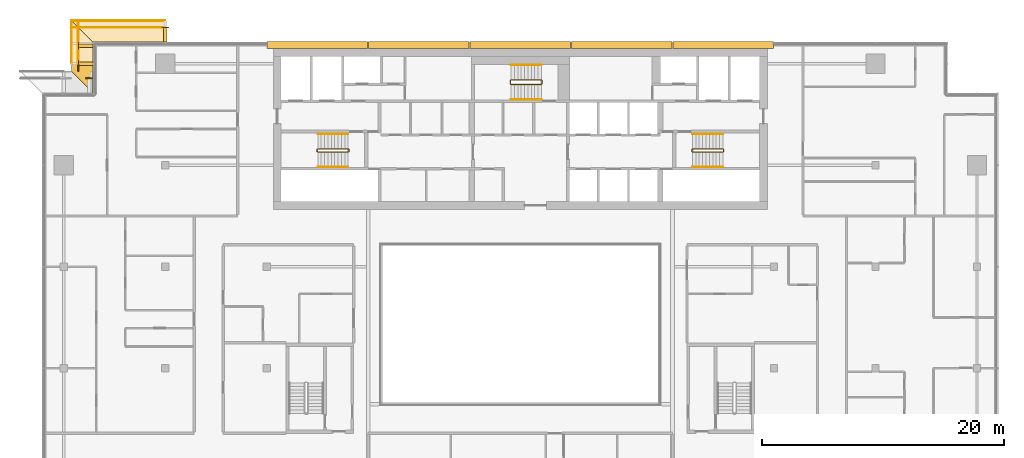
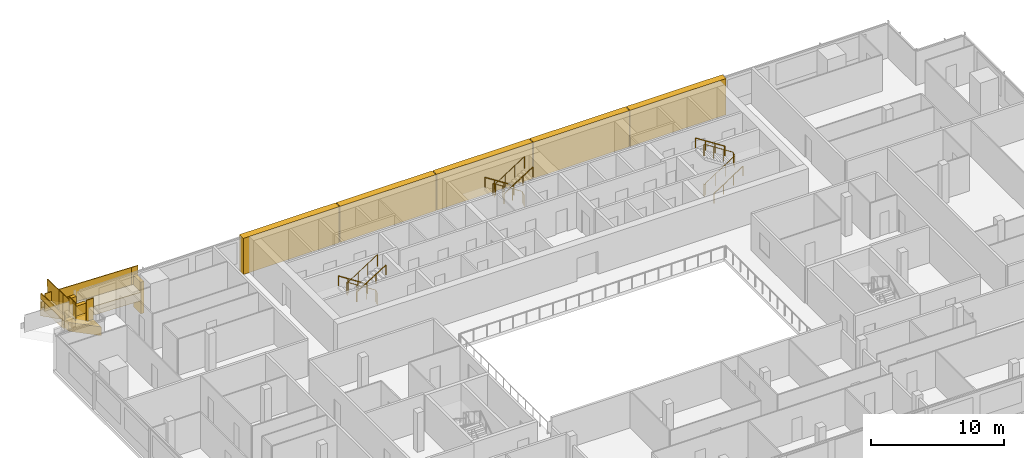
# One storey, part 27 of 30: 16 railings, 13 coverings.
"""IFC4 building model written with IfcOpenShell, lengths in metres."""

from ifc_helpers import new_model, si_unit, direction, frame, origin, origin_2d, place, context, subcontext, project, spatial, polyline, rectangle, circle, outline, extrude, material, layer, layer_set, type_object, element, save


model = new_model("IFC4")

# Units and contexts
model_context = context("Model", 3, precision=1e-05, world=origin(), true_north=direction((0.0, 1.0)))
body_context = subcontext(model_context, "Body", "Model", "MODEL_VIEW")
ifc_project = project(units=[si_unit("LENGTHUNIT", "METRE"), si_unit("AREAUNIT", "SQUARE_METRE"), si_unit("VOLUMEUNIT", "CUBIC_METRE"), si_unit("PLANEANGLEUNIT", "RADIAN"), si_unit("MASSUNIT", "GRAM", prefix="KILO")], contexts=[model_context])

# Site, building, storey
site_placement = place(None, origin())
site = spatial("IfcSite", under=ifc_project, at=site_placement, CompositionType="ELEMENT")
building_placement = place(site_placement, origin())
building = spatial("IfcBuilding", under=site, at=building_placement, Name="Saffron Gate Tower", CompositionType="ELEMENT")
storey_placement = place(building_placement, frame((0.0, 0.0, 237.89990234375)))
storey = spatial("IfcBuildingStorey", under=building, at=storey_placement, Name="L58", CompositionType="ELEMENT", Elevation=237.89990234375)

# Coverings
ifc_material_1 = material(Name="Ceramic-printed bronze insulated panel")
ifc_layer_1 = layer(ifc_material_1, 0.590087890625)
ifc_layer_set_1 = layer_set([ifc_layer_1], Name="CLD4 ceramic-printed cladding panel 590")
covering_type_1 = type_object("IfcCoveringType", Name="CLD4 ceramic-printed cladding panel 590", PredefinedType="CLADDING", material=ifc_layer_set_1)
covering_1_placement = place(storey_placement, origin())
element("IfcCovering", 1, at=covering_1_placement, inside=storey, type_object=covering_type_1, Name="CLADDING ceramic-printed panel", PredefinedType="CLADDING", context=body_context, shape_type="SweptSolid", body=[
    extrude(outline(polyline([(108.56494140625, 75.639892578125), (100.235107421875, 75.639892578125), (100.235107421875, 75.050048828125), (108.56494140625, 75.050048828125), (108.56494140625, 75.639892578125)])), origin(), (0.0, 0.0, 1.0), 3.320068359375),
])
covering_2_placement = place(storey_placement, origin())
element("IfcCovering", 2, at=covering_2_placement, inside=storey, type_object=covering_type_1, Name="CLADDING ceramic-printed panel", PredefinedType="CLADDING", context=body_context, shape_type="SweptSolid", body=[
    extrude(outline(polyline([(100.1650390625, 75.639892578125), (91.8349609375, 75.639892578125), (91.8349609375, 75.050048828125), (100.1650390625, 75.050048828125), (100.1650390625, 75.639892578125)])), origin(), (0.0, 0.0, 1.0), 3.320068359375),
])
covering_3_placement = place(storey_placement, origin())
element("IfcCovering", 3, at=covering_3_placement, inside=storey, type_object=covering_type_1, Name="CLADDING ceramic-printed panel", PredefinedType="CLADDING", context=body_context, shape_type="SweptSolid", body=[
    extrude(outline(polyline([(91.764892578125, 75.639892578125), (83.43505859375, 75.639892578125), (83.43505859375, 75.050048828125), (91.764892578125, 75.050048828125), (91.764892578125, 75.639892578125)])), origin(), (0.0, 0.0, 1.0), 3.320068359375),
])
covering_4_placement = place(storey_placement, origin())
element("IfcCovering", 4, at=covering_4_placement, inside=storey, type_object=covering_type_1, Name="CLADDING ceramic-printed panel", PredefinedType="CLADDING", context=body_context, shape_type="SweptSolid", body=[
    extrude(outline(polyline([(83.364990234375, 75.639892578125), (75.034912109375, 75.639892578125), (75.034912109375, 75.050048828125), (83.364990234375, 75.050048828125), (83.364990234375, 75.639892578125)])), origin(), (0.0, 0.0, 1.0), 3.320068359375),
])
covering_5_placement = place(storey_placement, origin())
element("IfcCovering", 5, at=covering_5_placement, inside=storey, type_object=covering_type_1, Name="CLADDING ceramic-printed panel", PredefinedType="CLADDING", context=body_context, shape_type="SweptSolid", body=[
    extrude(outline(polyline([(74.965087890625, 75.639892578125), (66.635009765625, 75.639892578125), (66.635009765625, 75.050048828125), (74.965087890625, 75.050048828125), (74.965087890625, 75.639892578125)])), origin(), (0.0, 0.0, 1.0), 3.320068359375),
])

# Railings
ifc_material_2 = material(Name="Stainless steel and laminated glass", Category="steel")
railing_type_1 = type_object("IfcRailingType", Name="CR1 Stair guard 1100", PredefinedType="GUARDRAIL", material=ifc_material_2)
railing_1_placement = place(storey_placement, frame((73.39990234375, 66.550048828125, 0.0)))
element("IfcRailing", 6, at=railing_1_placement, inside=storey, type_object=railing_type_1, Name="L58 ST-A stair guard 1", PredefinedType="GUARDRAIL", context=body_context, shape_type="SweptSolid", body=[
    extrude(circle(Radius=0.02392578125, at=origin_2d()), frame((0.0, 0.0, 1.076171875), z_axis=(0.0, 1.0, 0.0), x_axis=(-1.0, 0.0, 0.0)), (0.0, 0.0, 1.0), 0.14990234375),
    extrude(circle(Radius=0.02392578125, at=origin_2d()), frame((0.0, 0.14990234375, 1.076171875), z_axis=(-0.257366384619, 0.258627984543, 0.931060744355), x_axis=(-0.708833529934, -0.705375805398, 0.0)), (0.0, 0.0, 1.0), 0.193603515625),
    extrude(circle(Radius=0.02392578125, at=origin_2d()), frame((-0.0498046875, 0.199951171875, 1.25634765625), z_axis=(-0.841199657755, 0.0, 0.540724639528), x_axis=(0.0, -1.0, 0.0)), (0.0, 0.0, 1.0), 2.995849609375),
    extrude(circle(Radius=0.02392578125, at=origin_2d()), frame((-2.56982421875, 0.199951171875, 2.8759765625), z_axis=(-0.707106781187, -0.707106781187, 0.0), x_axis=(0.707106781187, -0.707106781187, 0.0)), (0.0, 0.0, 1.0), 0.07080078125),
    extrude(circle(Radius=0.02392578125, at=origin_2d()), frame((-2.619873046875, 0.14990234375, 2.8759765625), z_axis=(0.0, -1.0, 0.0), x_axis=(1.0, 0.0, 0.0)), (0.0, 0.0, 1.0), 0.14990234375),
    extrude(circle(Radius=0.02392578125, at=origin_2d()), frame((-2.619873046875, 0.0, 2.8759765625), z_axis=(0.258847668887, -0.258847668887, 0.930588936439), x_axis=(0.707106781187, 0.707106781187, 0.0)), (0.0, 0.0, 1.0), 0.193359375),
    extrude(circle(Radius=0.02392578125, at=origin_2d()), frame((-2.56982421875, -0.050048828125, 3.05615234375), z_axis=(0.841162588446, 0.0, 0.540782303519), x_axis=(0.0, 1.0, 0.0)), (0.0, 0.0, 1.0), 2.995849609375),
    extrude(circle(Radius=0.02099609375, at=origin_2d()), origin(), (0.0, 0.0, 1.0), 1.052001953125),
    extrude(circle(Radius=0.02099609375, at=origin_2d()), frame((0.0, 0.14990234375, 0.0)), (0.0, 0.0, 1.0), 1.052001953125),
    extrude(circle(Radius=0.02099609375, at=origin_2d()), frame((-0.0498046875, 0.199951171875, 0.18017578125)), (0.0, 0.0, 1.0), 1.052001953125),
    extrude(circle(Radius=0.02099609375, at=origin_2d()), frame((-0.889892578125, 0.199951171875, 0.72021484375)), (0.0, 0.0, 1.0), 1.052001953125),
    extrude(circle(Radius=0.02099609375, at=origin_2d()), frame((-1.729736328125, 0.199951171875, 1.260009765625)), (0.0, 0.0, 1.0), 1.052001953125),
    extrude(circle(Radius=0.02099609375, at=origin_2d()), frame((-2.56982421875, 0.199951171875, 1.800048828125)), (0.0, 0.0, 1.0), 1.052001953125),
    extrude(circle(Radius=0.02099609375, at=origin_2d()), frame((-2.619873046875, 0.14990234375, 1.800048828125)), (0.0, 0.0, 1.0), 1.052001953125),
    extrude(circle(Radius=0.02099609375, at=origin_2d()), frame((-2.619873046875, 0.0, 1.800048828125)), (0.0, 0.0, 1.0), 1.052001953125),
    extrude(circle(Radius=0.02099609375, at=origin_2d()), frame((-2.56982421875, -0.050048828125, 1.97998046875)), (0.0, 0.0, 1.0), 1.052001953125),
    extrude(circle(Radius=0.02099609375, at=origin_2d()), frame((-1.729736328125, -0.050048828125, 2.52001953125)), (0.0, 0.0, 1.0), 1.052001953125),
    extrude(circle(Radius=0.02099609375, at=origin_2d()), frame((-0.889892578125, -0.050048828125, 3.06005859375)), (0.0, 0.0, 1.0), 1.052001953125),
    extrude(circle(Radius=0.02099609375, at=origin_2d()), frame((-0.0498046875, -0.050048828125, 3.60009765625)), (0.0, 0.0, 1.0), 1.052001953125),
])
railing_2_placement = place(storey_placement, frame((101.800048828125, 66.699951171875, 0.0)))
element("IfcRailing", 7, at=railing_2_placement, inside=storey, type_object=railing_type_1, Name="L58 ST-B stair guard 1", PredefinedType="GUARDRAIL", context=body_context, shape_type="SweptSolid", body=[
    extrude(circle(Radius=0.02392578125, at=origin_2d()), frame((0.0, 0.0, 1.076171875), z_axis=(0.0, -1.0, 0.0), x_axis=(1.0, 0.0, 0.0)), (0.0, 0.0, 1.0), 0.14990234375),
    extrude(circle(Radius=0.02392578125, at=origin_2d()), frame((0.0, -0.14990234375, 1.076171875), z_axis=(0.258543844998, -0.258543844998, 0.930757841991), x_axis=(0.707106781187, 0.707106781187, 0.0)), (0.0, 0.0, 1.0), 0.193603515625),
    extrude(circle(Radius=0.02392578125, at=origin_2d()), frame((0.050048828125, -0.199951171875, 1.25634765625), z_axis=(0.841199657755, 0.0, 0.540724639528), x_axis=(0.0, 1.0, 0.0)), (0.0, 0.0, 1.0), 2.995849609375),
    extrude(circle(Radius=0.02392578125, at=origin_2d()), frame((2.570068359375, -0.199951171875, 2.8759765625), z_axis=(0.705375805398, 0.708833529934, 0.0), x_axis=(-0.708833529934, 0.705375805398, 0.0)), (0.0, 0.0, 1.0), 0.070556640625),
    extrude(circle(Radius=0.02392578125, at=origin_2d()), frame((2.619873046875, -0.14990234375, 2.8759765625), z_axis=(0.0, 1.0, 0.0), x_axis=(-1.0, 0.0, 0.0)), (0.0, 0.0, 1.0), 0.14990234375),
    extrude(circle(Radius=0.02392578125, at=origin_2d()), frame((2.619873046875, 0.0, 2.8759765625), z_axis=(-0.257669022063, 0.258932105505, 0.930892496375), x_axis=(-0.708833529934, -0.705375805398, 0.0)), (0.0, 0.0, 1.0), 0.193359375),
    extrude(circle(Radius=0.02392578125, at=origin_2d()), frame((2.570068359375, 0.050048828125, 3.05615234375), z_axis=(-0.841162588446, 0.0, 0.540782303519), x_axis=(0.0, -1.0, 0.0)), (0.0, 0.0, 1.0), 2.995849609375),
    extrude(circle(Radius=0.02099609375, at=origin_2d()), origin(), (0.0, 0.0, 1.0), 1.052001953125),
    extrude(circle(Radius=0.02099609375, at=origin_2d()), frame((0.0, -0.14990234375, 0.0)), (0.0, 0.0, 1.0), 1.052001953125),
    extrude(circle(Radius=0.02099609375, at=origin_2d()), frame((0.050048828125, -0.199951171875, 0.18017578125)), (0.0, 0.0, 1.0), 1.052001953125),
    extrude(circle(Radius=0.02099609375, at=origin_2d()), frame((0.89013671875, -0.199951171875, 0.72021484375)), (0.0, 0.0, 1.0), 1.052001953125),
    extrude(circle(Radius=0.02099609375, at=origin_2d()), frame((1.72998046875, -0.199951171875, 1.260009765625)), (0.0, 0.0, 1.0), 1.052001953125),
    extrude(circle(Radius=0.02099609375, at=origin_2d()), frame((2.570068359375, -0.199951171875, 1.800048828125)), (0.0, 0.0, 1.0), 1.052001953125),
    extrude(circle(Radius=0.02099609375, at=origin_2d()), frame((2.619873046875, -0.14990234375, 1.800048828125)), (0.0, 0.0, 1.0), 1.052001953125),
    extrude(circle(Radius=0.02099609375, at=origin_2d()), frame((2.619873046875, 0.0, 1.800048828125)), (0.0, 0.0, 1.0), 1.052001953125),
    extrude(circle(Radius=0.02099609375, at=origin_2d()), frame((2.570068359375, 0.050048828125, 1.97998046875)), (0.0, 0.0, 1.0), 1.052001953125),
    extrude(circle(Radius=0.02099609375, at=origin_2d()), frame((1.72998046875, 0.050048828125, 2.52001953125)), (0.0, 0.0, 1.0), 1.052001953125),
    extrude(circle(Radius=0.02099609375, at=origin_2d()), frame((0.89013671875, 0.050048828125, 3.06005859375)), (0.0, 0.0, 1.0), 1.052001953125),
    extrude(circle(Radius=0.02099609375, at=origin_2d()), frame((0.050048828125, 0.050048828125, 3.60009765625)), (0.0, 0.0, 1.0), 1.052001953125),
])
railing_3_placement = place(storey_placement, frame((89.39990234375, 72.14990234375, 0.0)))
element("IfcRailing", 8, at=railing_3_placement, inside=storey, type_object=railing_type_1, Name="L58 ST-C stair guard 1", PredefinedType="GUARDRAIL", context=body_context, shape_type="SweptSolid", body=[
    extrude(circle(Radius=0.02392578125, at=origin_2d()), frame((0.0, 0.0, 1.076171875), z_axis=(0.0, 1.0, 0.0), x_axis=(-1.0, 0.0, 0.0)), (0.0, 0.0, 1.0), 0.25),
    extrude(circle(Radius=0.02392578125, at=origin_2d()), frame((0.0, 0.25, 1.076171875), z_axis=(-0.257366384619, 0.258627984543, 0.931060744355), x_axis=(-0.708833529934, -0.705375805398, 0.0)), (0.0, 0.0, 1.0), 0.193603515625),
    extrude(circle(Radius=0.02392578125, at=origin_2d()), frame((-0.0498046875, 0.300048828125, 1.25634765625), z_axis=(-0.841199657755, 0.0, 0.540724639528), x_axis=(0.0, -1.0, 0.0)), (0.0, 0.0, 1.0), 2.995849609375),
    extrude(circle(Radius=0.02392578125, at=origin_2d()), frame((-2.56982421875, 0.300048828125, 2.8759765625), z_axis=(-0.707106781187, -0.707106781187, 0.0), x_axis=(0.707106781187, -0.707106781187, 0.0)), (0.0, 0.0, 1.0), 0.07080078125),
    extrude(circle(Radius=0.02392578125, at=origin_2d()), frame((-2.619873046875, 0.25, 2.8759765625), z_axis=(0.0, -1.0, 0.0), x_axis=(1.0, 0.0, 0.0)), (0.0, 0.0, 1.0), 0.25),
    extrude(circle(Radius=0.02392578125, at=origin_2d()), frame((-2.619873046875, 0.0, 2.8759765625), z_axis=(0.258932105505, -0.257669022063, 0.930892496375), x_axis=(0.705375805398, 0.708833529934, 0.0)), (0.0, 0.0, 1.0), 0.193359375),
    extrude(circle(Radius=0.02392578125, at=origin_2d()), frame((-2.56982421875, -0.0498046875, 3.05615234375), z_axis=(0.841162588446, 0.0, 0.540782303519), x_axis=(0.0, 1.0, 0.0)), (0.0, 0.0, 1.0), 2.995849609375),
    extrude(circle(Radius=0.02099609375, at=origin_2d()), origin(), (0.0, 0.0, 1.0), 1.052001953125),
    extrude(circle(Radius=0.02099609375, at=origin_2d()), frame((0.0, 0.25, 0.0)), (0.0, 0.0, 1.0), 1.052001953125),
    extrude(circle(Radius=0.02099609375, at=origin_2d()), frame((-0.0498046875, 0.300048828125, 0.18017578125)), (0.0, 0.0, 1.0), 1.052001953125),
    extrude(circle(Radius=0.02099609375, at=origin_2d()), frame((-0.889892578125, 0.300048828125, 0.72021484375)), (0.0, 0.0, 1.0), 1.052001953125),
    extrude(circle(Radius=0.02099609375, at=origin_2d()), frame((-1.729736328125, 0.300048828125, 1.260009765625)), (0.0, 0.0, 1.0), 1.052001953125),
    extrude(circle(Radius=0.02099609375, at=origin_2d()), frame((-2.56982421875, 0.300048828125, 1.800048828125)), (0.0, 0.0, 1.0), 1.052001953125),
    extrude(circle(Radius=0.02099609375, at=origin_2d()), frame((-2.619873046875, 0.25, 1.800048828125)), (0.0, 0.0, 1.0), 1.052001953125),
    extrude(circle(Radius=0.02099609375, at=origin_2d()), frame((-2.619873046875, 0.0, 1.800048828125)), (0.0, 0.0, 1.0), 1.052001953125),
    extrude(circle(Radius=0.02099609375, at=origin_2d()), frame((-2.56982421875, -0.0498046875, 1.97998046875)), (0.0, 0.0, 1.0), 1.052001953125),
    extrude(circle(Radius=0.02099609375, at=origin_2d()), frame((-1.729736328125, -0.0498046875, 2.52001953125)), (0.0, 0.0, 1.0), 1.052001953125),
    extrude(circle(Radius=0.02099609375, at=origin_2d()), frame((-0.889892578125, -0.0498046875, 3.06005859375)), (0.0, 0.0, 1.0), 1.052001953125),
    extrude(circle(Radius=0.02099609375, at=origin_2d()), frame((-0.0498046875, -0.0498046875, 3.60009765625)), (0.0, 0.0, 1.0), 1.052001953125),
])
ifc_material_3 = material(Name="Stainless steel", Category="steel")
railing_type_2 = type_object("IfcRailingType", Name="CR2 Stair handrail 900", PredefinedType="HANDRAIL", material=ifc_material_3)
railing_4_placement = place(storey_placement, frame((73.35009765625, 68.0, 0.18017578125)))
element("IfcRailing", 9, at=railing_4_placement, inside=storey, type_object=railing_type_2, Name="L58 ST-A stair handrail 1", PredefinedType="HANDRAIL", context=body_context, shape_type="SweptSolid", body=[
    extrude(circle(Radius=0.02392578125, at=origin_2d()), frame((0.0, 0.0, 0.8759765625), z_axis=(-0.841199657755, 0.0, 0.540724639528), x_axis=(0.0, -1.0, 0.0)), (0.0, 0.0, 1.0), 2.995849609375),
    extrude(circle(Radius=0.02099609375, at=origin_2d()), origin(), (0.0, 0.0, 1.0), 0.851806640625),
    extrude(circle(Radius=0.02099609375, at=origin_2d()), frame((-0.840087890625, 0.0, 0.5400390625)), (0.0, 0.0, 1.0), 0.851806640625),
    extrude(circle(Radius=0.02099609375, at=origin_2d()), frame((-1.679931640625, 0.0, 1.079833984375)), (0.0, 0.0, 1.0), 0.851806640625),
    extrude(circle(Radius=0.02099609375, at=origin_2d()), frame((-2.52001953125, 0.0, 1.619873046875)), (0.0, 0.0, 1.0), 0.851806640625),
])
railing_5_placement = place(storey_placement, frame((70.830078125, 65.25, 1.97998046875)))
element("IfcRailing", 10, at=railing_5_placement, inside=storey, type_object=railing_type_2, Name="L58 ST-A stair handrail 2", PredefinedType="HANDRAIL", context=body_context, shape_type="SweptSolid", body=[
    extrude(circle(Radius=0.02392578125, at=origin_2d()), frame((0.0, 0.0, 0.8759765625), z_axis=(0.841162588446, 0.0, 0.540782303519), x_axis=(0.0, 1.0, 0.0)), (0.0, 0.0, 1.0), 2.995849609375),
    extrude(circle(Radius=0.02099609375, at=origin_2d()), origin(), (0.0, 0.0, 1.0), 0.851806640625),
    extrude(circle(Radius=0.02099609375, at=origin_2d()), frame((0.840087890625, 0.0, 0.5400390625)), (0.0, 0.0, 1.0), 0.851806640625),
    extrude(circle(Radius=0.02099609375, at=origin_2d()), frame((1.679931640625, 0.0, 1.080078125)), (0.0, 0.0, 1.0), 0.851806640625),
    extrude(circle(Radius=0.02099609375, at=origin_2d()), frame((2.52001953125, 0.0, 1.6201171875)), (0.0, 0.0, 1.0), 0.851806640625),
])
railing_6_placement = place(storey_placement, frame((101.85009765625, 65.25, 0.18017578125)))
element("IfcRailing", 11, at=railing_6_placement, inside=storey, type_object=railing_type_2, Name="L58 ST-B stair handrail 1", PredefinedType="HANDRAIL", context=body_context, shape_type="SweptSolid", body=[
    extrude(circle(Radius=0.02392578125, at=origin_2d()), frame((0.0, 0.0, 0.8759765625), z_axis=(0.841199657755, 0.0, 0.540724639528), x_axis=(0.0, 1.0, 0.0)), (0.0, 0.0, 1.0), 2.995849609375),
    extrude(circle(Radius=0.02099609375, at=origin_2d()), origin(), (0.0, 0.0, 1.0), 0.851806640625),
    extrude(circle(Radius=0.02099609375, at=origin_2d()), frame((0.840087890625, 0.0, 0.5400390625)), (0.0, 0.0, 1.0), 0.851806640625),
    extrude(circle(Radius=0.02099609375, at=origin_2d()), frame((1.679931640625, 0.0, 1.079833984375)), (0.0, 0.0, 1.0), 0.851806640625),
    extrude(circle(Radius=0.02099609375, at=origin_2d()), frame((2.52001953125, 0.0, 1.619873046875)), (0.0, 0.0, 1.0), 0.851806640625),
])
railing_7_placement = place(storey_placement, frame((104.3701171875, 68.0, 1.97998046875)))
element("IfcRailing", 12, at=railing_7_placement, inside=storey, type_object=railing_type_2, Name="L58 ST-B stair handrail 2", PredefinedType="HANDRAIL", context=body_context, shape_type="SweptSolid", body=[
    extrude(circle(Radius=0.02392578125, at=origin_2d()), frame((0.0, 0.0, 0.8759765625), z_axis=(-0.841162588446, 0.0, 0.540782303519), x_axis=(0.0, -1.0, 0.0)), (0.0, 0.0, 1.0), 2.995849609375),
    extrude(circle(Radius=0.02099609375, at=origin_2d()), origin(), (0.0, 0.0, 1.0), 0.851806640625),
    extrude(circle(Radius=0.02099609375, at=origin_2d()), frame((-0.840087890625, 0.0, 0.5400390625)), (0.0, 0.0, 1.0), 0.851806640625),
    extrude(circle(Radius=0.02099609375, at=origin_2d()), frame((-1.679931640625, 0.0, 1.080078125)), (0.0, 0.0, 1.0), 0.851806640625),
    extrude(circle(Radius=0.02099609375, at=origin_2d()), frame((-2.52001953125, 0.0, 1.6201171875)), (0.0, 0.0, 1.0), 0.851806640625),
])
railing_8_placement = place(storey_placement, frame((89.35009765625, 73.699951171875, 0.18017578125)))
element("IfcRailing", 13, at=railing_8_placement, inside=storey, type_object=railing_type_2, Name="L58 ST-C stair handrail 1", PredefinedType="HANDRAIL", context=body_context, shape_type="SweptSolid", body=[
    extrude(circle(Radius=0.02392578125, at=origin_2d()), frame((0.0, 0.0, 0.8759765625), z_axis=(-0.841199657755, 0.0, 0.540724639528), x_axis=(0.0, -1.0, 0.0)), (0.0, 0.0, 1.0), 2.995849609375),
    extrude(circle(Radius=0.02099609375, at=origin_2d()), origin(), (0.0, 0.0, 1.0), 0.851806640625),
    extrude(circle(Radius=0.02099609375, at=origin_2d()), frame((-0.840087890625, 0.0, 0.5400390625)), (0.0, 0.0, 1.0), 0.851806640625),
    extrude(circle(Radius=0.02099609375, at=origin_2d()), frame((-1.679931640625, 0.0, 1.079833984375)), (0.0, 0.0, 1.0), 0.851806640625),
    extrude(circle(Radius=0.02099609375, at=origin_2d()), frame((-2.52001953125, 0.0, 1.619873046875)), (0.0, 0.0, 1.0), 0.851806640625),
])
railing_9_placement = place(storey_placement, frame((86.830078125, 70.85009765625, 1.97998046875)))
element("IfcRailing", 14, at=railing_9_placement, inside=storey, type_object=railing_type_2, Name="L58 ST-C stair handrail 2", PredefinedType="HANDRAIL", context=body_context, shape_type="SweptSolid", body=[
    extrude(circle(Radius=0.02392578125, at=origin_2d()), frame((0.0, 0.0, 0.8759765625), z_axis=(0.841162588446, 0.0, 0.540782303519), x_axis=(0.0, 1.0, 0.0)), (0.0, 0.0, 1.0), 2.995849609375),
    extrude(circle(Radius=0.02099609375, at=origin_2d()), origin(), (0.0, 0.0, 1.0), 0.851806640625),
    extrude(circle(Radius=0.02099609375, at=origin_2d()), frame((0.840087890625, 0.0, 0.5400390625)), (0.0, 0.0, 1.0), 0.851806640625),
    extrude(circle(Radius=0.02099609375, at=origin_2d()), frame((1.679931640625, 0.0, 1.080078125)), (0.0, 0.0, 1.0), 0.851806640625),
    extrude(circle(Radius=0.02099609375, at=origin_2d()), frame((2.52001953125, 0.0, 1.6201171875)), (0.0, 0.0, 1.0), 0.851806640625),
])

# Coverings
ifc_material_4 = material(Name="Timber, thermally modified ash", Category="wood")
ifc_layer_2 = layer(ifc_material_4, 0.800048828125)
ifc_layer_set_2 = layer_set([ifc_layer_2], Name="LD1 ledge timber")
covering_type_2 = type_object("IfcCoveringType", Name="LD1 ledge timber", PredefinedType="CLADDING", material=ifc_layer_set_2)
covering_6_placement = place(storey_placement, frame((58.199951171875, 75.60009765625, 1.0556640625), z_axis=(0.028807146299, -3.5032058e-05, 0.99958498743), x_axis=(-0.999584988043, -3.68e-10, 0.028807146316)))
element("IfcCovering", 15, at=covering_6_placement, inside=storey, type_object=covering_type_2, Name="LEDGE", PredefinedType="CLADDING", context=body_context, shape_type="SweptSolid", body=[
    extrude(outline(polyline([(0.0, 0.0), (6.0024892885105, 0.0), (7.8032891020589235, -1.799804691475862), (-6.622937652876953e-10, -1.7998046863955992), (0.0, 0.0)])), origin(), (0.0, 0.0, -1.0), 0.800048828125),
])
covering_7_placement = place(storey_placement, frame((52.199951171875, 75.60009765625, 2.0859375), z_axis=(-1.29947e-06, 0.028742979799, 0.999586835203), x_axis=(-2e-12, -0.999586835204, 0.028742979799)))
element("IfcCovering", 16, at=covering_7_placement, inside=storey, type_object=covering_type_2, Name="LEDGE", PredefinedType="CLADDING", context=body_context, shape_type="SweptSolid", body=[
    extrude(outline(polyline([(0.0, 0.0), (1.8007927850764784, 0.0), (1.800792785079517, -1.8000488281234803), (-1.8005487453187516, -1.8000488281325988), (0.0, 0.0)])), origin(), (0.0, 0.0, -1.0), 0.800048828125),
])
covering_8_placement = place(storey_placement, frame((52.199951171875, 73.800048828125, 2.39501953125), z_axis=(2.6333678e-05, 0.028794305201, 0.999585357683), x_axis=(5.2e-10, -0.99958535803, 0.028794305211)))
element("IfcCovering", 17, at=covering_8_placement, inside=storey, type_object=covering_type_2, Name="LEDGE", PredefinedType="CLADDING", context=body_context, shape_type="SweptSolid", body=[
    extrude(outline(polyline([(0.0, 0.0), (2.401140733194568, 0.0), (0.6003479496762917, -1.8000488290612322), (-9.357805408281585e-10, -1.8000488275008664), (0.0, 0.0)])), origin(), (0.0, 0.0, -1.0), 0.800048828125),
])
ifc_layer_3 = layer(ifc_material_4, 0.080078125)
ifc_layer_set_3 = layer_set([ifc_layer_3], Name="LD2 ledge planter trough")
covering_type_3 = type_object("IfcCoveringType", Name="LD2 ledge planter trough", PredefinedType="CLADDING", material=ifc_layer_set_3)
covering_9_placement = place(storey_placement, frame((58.199951171875, 77.39990234375, 1.0556640625), z_axis=(0.0, 1.0, 0.0), x_axis=(-0.999584755248, 0.0, 0.028815222999)))
element("IfcCovering", 18, at=covering_9_placement, inside=storey, type_object=covering_type_3, Name="LEDGE planter trough", PredefinedType="CLADDING", context=body_context, shape_type="SweptSolid", body=[
    extrude(outline(polyline([(0.0, 0.0), (7.803289102975944, 0.0), (7.8176967144752565, 0.4997923776238338), (0.014407611499312996, 0.4997923776238338), (0.0, 0.0)])), origin(), (0.0, 0.0, -1.0), 0.080078125),
])
covering_10_placement = place(storey_placement, frame((50.39990234375, 77.39990234375, 2.0341796875), z_axis=(-1.0, 0.0, 0.0), x_axis=(0.0, -0.999586816534, 0.028743629041)))
element("IfcCovering", 19, at=covering_10_placement, inside=storey, type_object=covering_type_3, Name="LEDGE planter trough", PredefinedType="CLADDING", context=body_context, shape_type="SweptSolid", body=[
    extrude(outline(polyline([(0.0, 0.0), (3.6013415303990284, 0.0), (3.615713344919565, 0.4997934082672433), (0.01437181452053653, 0.4997934082672433), (0.0, 0.0)])), origin(), (0.0, 0.0, -1.0), 0.080078125),
])
ifc_layer_4 = layer(ifc_material_4, 0.300048828125)
ifc_layer_set_4 = layer_set([ifc_layer_4], Name="LD3 ledge riser fin")
covering_type_4 = type_object("IfcCoveringType", Name="LD3 ledge riser fin", PredefinedType="CLADDING", material=ifc_layer_set_4)
covering_11_placement = place(storey_placement, frame((58.199951171875, 76.159912109375, -0.944580078125), z_axis=(0.0, 0.0, 1.0), x_axis=(-1.0, 0.0, 0.0)))
element("IfcCovering", 20, at=covering_11_placement, inside=storey, type_object=covering_type_4, Name="LEDGE riser fin", PredefinedType="CLADDING", context=body_context, shape_type="SweptSolid", body=[
    extrude(rectangle(XDim=0.300048828125, YDim=1.1201171875, at=origin_2d()), origin(), (0.0, 0.0, 1.0), 2.900390625),
])
covering_12_placement = place(storey_placement, frame((51.639892578125, 75.300048828125, 0.4287109375), z_axis=(0.0, 0.0, 1.0), x_axis=(0.0, -1.0, 0.0)))
element("IfcCovering", 21, at=covering_12_placement, inside=storey, type_object=covering_type_4, Name="LEDGE riser fin", PredefinedType="CLADDING", context=body_context, shape_type="SweptSolid", body=[
    extrude(rectangle(XDim=0.300048828125, YDim=1.1201171875, at=origin_2d()), origin(), (0.0, 0.0, 1.0), 2.557373046875),
])
covering_13_placement = place(storey_placement, frame((51.639892578125, 73.800048828125, 1.337890625), z_axis=(0.0, 0.0, 1.0), x_axis=(0.0, -1.0, 0.0)))
element("IfcCovering", 22, at=covering_13_placement, inside=storey, type_object=covering_type_4, Name="LEDGE riser fin", PredefinedType="CLADDING", context=body_context, shape_type="SweptSolid", body=[
    extrude(rectangle(XDim=0.300048828125, YDim=1.1201171875, at=origin_2d()), origin(), (0.0, 0.0, 1.0), 1.957275390625),
])

# Railings
railing_type_3 = type_object("IfcRailingType", Name="LG1 ledge balustrade", PredefinedType="BALUSTRADE", material=ifc_material_4)
railing_10_placement = place(storey_placement, frame((58.199951171875, 76.800048828125, 1.0556640625)))
element("IfcRailing", 23, at=railing_10_placement, inside=storey, type_object=railing_type_3, Name="LEDGE BALUSTRADE", PredefinedType="BALUSTRADE", context=body_context, shape_type="SweptSolid", body=[
    extrude(rectangle(XDim=0.06005859375, YDim=1.60009765625, at=origin_2d()), frame((0.0, 0.0, 0.800048828125), z_axis=(-0.999584755248, 0.0, 0.028815222999), x_axis=(0.0, -1.0, 0.0)), (0.0, 0.0, 1.0), 7.80322265625),
])
railing_11_placement = place(storey_placement, frame((58.5, 76.800048828125, -0.14453125)))
element("IfcRailing", 24, at=railing_11_placement, inside=storey, type_object=railing_type_3, Name="LEDGE BALUSTRADE", PredefinedType="BALUSTRADE", context=body_context, shape_type="SweptSolid", body=[
    extrude(rectangle(XDim=0.06005859375, YDim=2.80029296875, at=origin_2d()), frame((0.0, 0.0, 1.400146484375), z_axis=(-1.0, 0.0, 0.0), x_axis=(0.0, -1.0, 0.0)), (0.0, 0.0, 1.0), 0.60009765625),
])
railing_12_placement = place(storey_placement, frame((51.0, 77.39990234375, 2.0341796875)))
element("IfcRailing", 25, at=railing_12_placement, inside=storey, type_object=railing_type_3, Name="LEDGE BALUSTRADE", PredefinedType="BALUSTRADE", context=body_context, shape_type="SweptSolid", body=[
    extrude(rectangle(XDim=0.06005859375, YDim=1.60009765625, at=origin_2d()), frame((0.0, 0.0, 0.800048828125), z_axis=(0.0, -0.999586816534, 0.028743629041), x_axis=(1.0, 0.0, 0.0)), (0.0, 0.0, 1.0), 3.601318359375),
])
railing_13_placement = place(storey_placement, frame((51.0, 75.60009765625, 1.228515625)))
element("IfcRailing", 26, at=railing_13_placement, inside=storey, type_object=railing_type_3, Name="LEDGE BALUSTRADE", PredefinedType="BALUSTRADE", context=body_context, shape_type="SweptSolid", body=[
    extrude(rectangle(XDim=0.06005859375, YDim=2.45751953125, at=origin_2d()), frame((0.0, 0.0, 1.228759765625), z_axis=(0.0, -1.0, 0.0), x_axis=(1.0, 0.0, 0.0)), (0.0, 0.0, 1.0), 0.60009765625),
])
railing_14_placement = place(storey_placement, frame((51.0, 73.800048828125, 2.39501953125)))
element("IfcRailing", 27, at=railing_14_placement, inside=storey, type_object=railing_type_3, Name="LEDGE BALUSTRADE", PredefinedType="BALUSTRADE", context=body_context, shape_type="SweptSolid", body=[
    extrude(rectangle(XDim=0.06005859375, YDim=1.60009765625, at=origin_2d()), frame((0.0, 0.0, 0.800048828125), z_axis=(0.0, -0.999583081391, 0.028873229772), x_axis=(1.0, 0.0, 0.0)), (0.0, 0.0, 1.0), 0.600341796875),
])
railing_15_placement = place(storey_placement, frame((51.0, 74.10009765625, 2.1376953125)))
element("IfcRailing", 28, at=railing_15_placement, inside=storey, type_object=railing_type_3, Name="LEDGE BALUSTRADE", PredefinedType="BALUSTRADE", context=body_context, shape_type="SweptSolid", body=[
    extrude(rectangle(XDim=0.06005859375, YDim=1.857177734375, at=origin_2d()), frame((0.0, 0.0, 0.9287109375), z_axis=(0.0, -1.0, 0.0), x_axis=(1.0, 0.0, 0.0)), (0.0, 0.0, 1.0), 0.60009765625),
])
railing_16_placement = place(storey_placement, frame((52.199951171875, 72.60009765625, 2.464111328125)))
element("IfcRailing", 29, at=railing_16_placement, inside=storey, type_object=railing_type_3, Name="LEDGE BALUSTRADE", PredefinedType="BALUSTRADE", context=body_context, shape_type="SweptSolid", body=[
    extrude(rectangle(XDim=0.06005859375, YDim=1.943115234375, at=origin_2d()), frame((0.0, 0.0, 0.9716796875), z_axis=(-1.0, 0.0, 0.0), x_axis=(0.0, -1.0, 0.0)), (0.0, 0.0, 1.0), 0.599853515625),
])

save(model, "model.ifc")
